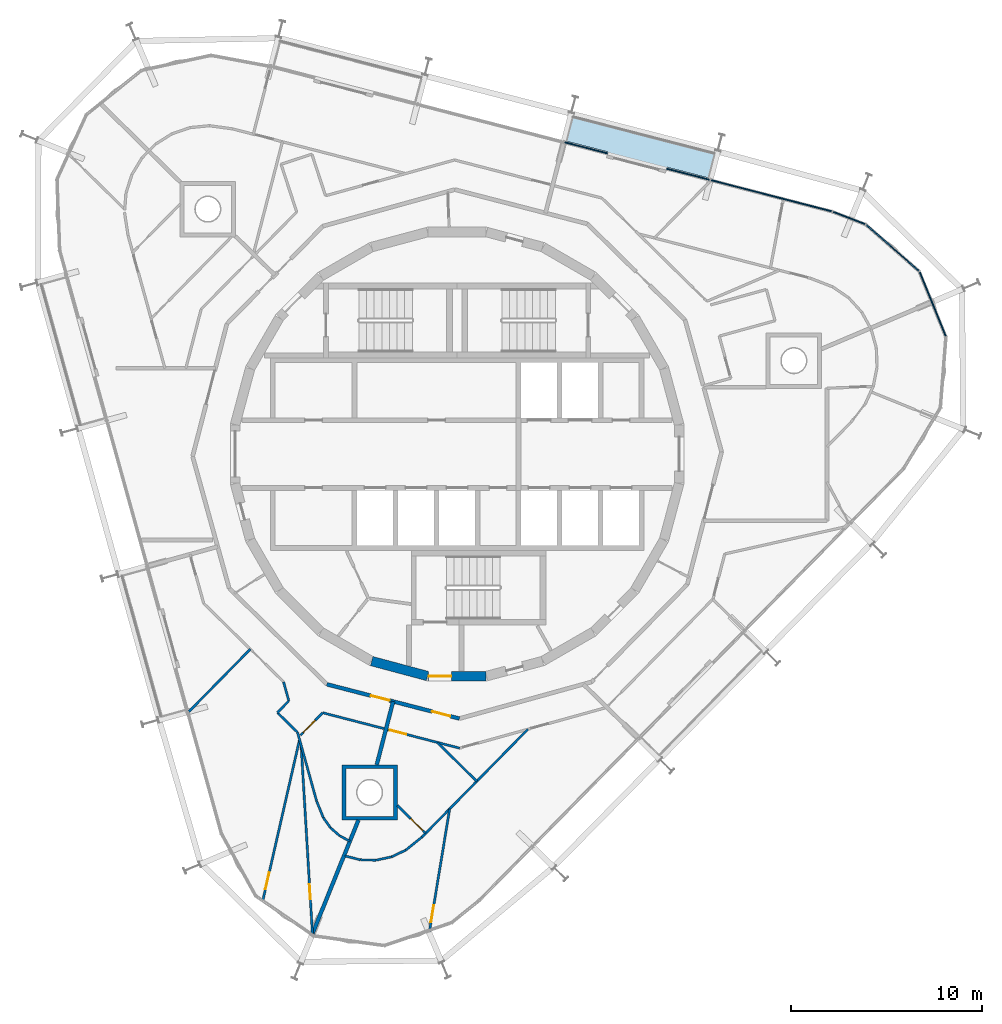
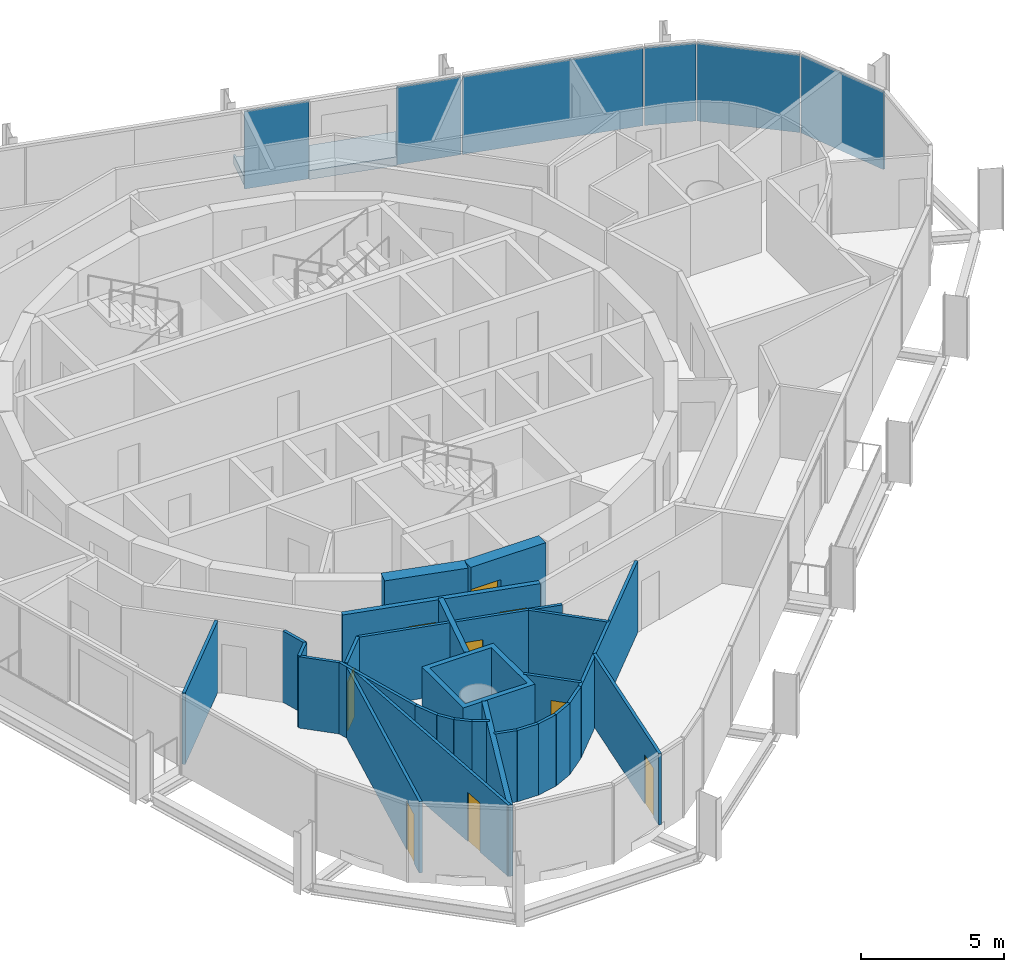
# One storey, part 9 of 15: 28 walls, 9 doors, 6 plates, 1 slab, 9 openings, 2 elements without a shape of their own.
"""IFC4 building model written with IfcOpenShell, lengths in metres."""

from ifc_helpers import new_model, si_unit, direction, frame, frame_2d, origin, origin_2d, place, context, subcontext, project, spatial, polyline, rectangle, outline, extrude, material, layer, layer_set, type_object, element, fill, aggregate, save


model = new_model("IFC4")

# Units and contexts
model_context = context("Model", 3, precision=1e-05, world=origin(), true_north=direction((0.0, 1.0)))
body_context = subcontext(model_context, "Body", "Model", "MODEL_VIEW")
ifc_project = project(units=[si_unit("LENGTHUNIT", "METRE"), si_unit("AREAUNIT", "SQUARE_METRE"), si_unit("VOLUMEUNIT", "CUBIC_METRE"), si_unit("PLANEANGLEUNIT", "RADIAN"), si_unit("MASSUNIT", "GRAM", prefix="KILO")], contexts=[model_context])

# Site, building, storey
site_placement = place(None, origin())
site = spatial("IfcSite", under=ifc_project, at=site_placement, CompositionType="ELEMENT")
building_placement = place(site_placement, origin())
building = spatial("IfcBuilding", under=site, at=building_placement, Name="Spindle Arch Residences", CompositionType="ELEMENT")
storey_placement = place(building_placement, frame((0.0, 0.0, 322.699951171875)))
storey = spatial("IfcBuildingStorey", under=building, at=storey_placement, Name="L83", CompositionType="ELEMENT", Elevation=322.699951171875)

# Slab
ifc_material_1 = material(Name="Concrete C40/50", Category="concrete")
ifc_layer_1 = layer(ifc_material_1, 0.3798828125)
ifc_layer_set_1 = layer_set([ifc_layer_1], Name="Balcony slab 380")
slab_type = type_object("IfcSlabType", Name="Balcony slab 380", PredefinedType="FLOOR", material=ifc_layer_set_1)
slab_placement = place(storey_placement, frame((0.0, 0.0, -0.3798828125)))
element("IfcSlab", 1, at=slab_placement, inside=storey, type_object=slab_type, Name="Balcony L83 bay 6", PredefinedType="FLOOR", context=body_context, shape_type="SweptSolid", body=[
    extrude(outline(polyline([(13.600830078125, 15.916259765625), (13.5283203125, 15.93505859375), (13.49072265625, 15.789794921875), (6.098876953125, 17.701416015625), (6.136474609375, 17.8466796875), (6.063720703125, 17.865478515625), (5.690673828125, 16.4228515625), (7.91015625, 15.848876953125), (7.8701171875, 15.694091796875), (10.96826171875, 14.892822265625), (11.00830078125, 15.047607421875), (13.227783203125, 14.4736328125), (13.600830078125, 15.916259765625)])), origin(), (0.0, 0.0, 1.0), 0.3798828125),
])

# Curtain wall, plates
ifc_material_2 = material(Name="Aluminium bronze unitised frame with tinted glass", Category="aluminium")
ifc_layer_2 = layer(ifc_material_2, 0.159912109375)
ifc_layer_set_2 = layer_set([ifc_layer_2], Name="CW-D corner wall on the fillet arcs")
curtain_wall_type_1 = type_object("IfcCurtainWallType", Name="CW-D corner wall on the fillet arcs", PredefinedType="NOTDEFINED", material=ifc_layer_set_2)
curtain_wall_1_placement = place(storey_placement, origin())
curtain_wall_1 = element("IfcCurtainWall", 2, at=curtain_wall_1_placement, inside=storey, type_object=curtain_wall_type_1, Name="CW-D L83 run 1", PredefinedType="NOTDEFINED")
ifc_material_3 = material(Name="Tinted double glazing over non-combustible spandrel zone with 0.55 mm stainless steel cavity fire stop (K0)", Category="steel")
ifc_layer_3 = layer(ifc_material_3, 0.070068359375)
ifc_layer_set_3 = layer_set([ifc_layer_3], Name="Unitised glass panel with spandrel zone and stainless cavity fire stop")
plate_type = type_object("IfcPlateType", Name="Unitised glass panel with spandrel zone and stainless cavity fire stop", PredefinedType="CURTAIN_PANEL", material=ifc_layer_set_3)
plate_1_placement = place(storey_placement, frame((24.94384765625, 7.86474609375, -0.3798828125), z_axis=(0.0, 0.0, 1.0), x_axis=(-0.377302072189, 0.926090247396, 0.0)))
plate_1 = element("IfcPlate", 3, at=plate_1_placement, type_object=plate_type, Name="CW-D unit 03", PredefinedType="CURTAIN_PANEL", context=body_context, shape_type="SweptSolid", body=[
    extrude(rectangle(XDim=3.666748046875, YDim=0.070068359375, at=origin_2d()), origin(), (0.0, 0.0, 1.0), 3.31005859375),
])
plate_2_placement = place(storey_placement, frame((22.837890625, 10.81689453125, -0.3798828125), z_axis=(0.0, 0.0, 1.0), x_axis=(-0.752797991635, 0.658251611308, 0.0)))
plate_2 = element("IfcPlate", 4, at=plate_2_placement, type_object=plate_type, Name="CW-D unit 04", PredefinedType="CURTAIN_PANEL", context=body_context, shape_type="SweptSolid", body=[
    extrude(rectangle(XDim=3.666748046875, YDim=0.070068359375, at=origin_2d()), origin(), (0.0, 0.0, 1.0), 3.31005859375),
])
plate_3_placement = place(storey_placement, frame((20.560546875, 12.38232421875, -0.3798828125), z_axis=(0.0, 0.0, 1.0), x_axis=(-0.932534030225, 0.361082099353, 0.0)))
plate_3 = element("IfcPlate", 5, at=plate_3_placement, type_object=plate_type, Name="CW-D unit 05", PredefinedType="CURTAIN_PANEL", context=body_context, shape_type="SweptSolid", body=[
    extrude(rectangle(XDim=1.816162109375, YDim=0.070068359375, at=origin_2d()), origin(), (0.0, 0.0, 1.0), 3.31005859375),
])
plate_4_placement = place(storey_placement, frame((16.483154296875, 13.549072265625, -0.3798828125), z_axis=(0.0, 0.0, 1.0), x_axis=(-0.968147640378, 0.250380004054, 0.0)))
plate_4 = element("IfcPlate", 6, at=plate_4_placement, type_object=plate_type, Name="CW-D unit 06", PredefinedType="CURTAIN_PANEL", context=body_context, shape_type="SweptSolid", body=[
    extrude(rectangle(XDim=6.555908203125, YDim=0.070068359375, at=origin_2d()), origin(), (0.0, 0.0, 1.0), 3.31005859375),
])
aggregate(curtain_wall_1, [plate_1, plate_2, plate_3, plate_4])

ifc_material_4 = material(Name="Aluminium bronze unitised frame with tinted glass", Category="aluminium")
ifc_layer_4 = layer(ifc_material_4, 0.159912109375)
ifc_layer_set_4 = layer_set([ifc_layer_4], Name="CW-C typical residential unitised wall")
curtain_wall_type_2 = type_object("IfcCurtainWallType", Name="CW-C typical residential unitised wall", PredefinedType="NOTDEFINED", material=ifc_layer_set_4)
curtain_wall_2_placement = place(storey_placement, origin())
curtain_wall_2 = element("IfcCurtainWall", 7, at=curtain_wall_2_placement, inside=storey, type_object=curtain_wall_type_2, Name="CW-C L83 run 2", PredefinedType="NOTDEFINED")
plate_5_placement = place(storey_placement, frame((12.119873046875, 14.677490234375, -0.3798828125), z_axis=(0.0, 0.0, 1.0), x_axis=(-0.968147640378, 0.250380004054, 0.0)))
plate_5 = element("IfcPlate", 8, at=plate_5_placement, type_object=plate_type, Name="CW-C unit 05L", PredefinedType="CURTAIN_PANEL", context=body_context, shape_type="SweptSolid", body=[
    extrude(rectangle(XDim=2.337646484375, YDim=0.070068359375, at=origin_2d()), origin(), (0.0, 0.0, 1.0), 3.31005859375),
])
plate_6_placement = place(storey_placement, frame((6.7587890625, 16.06396484375, -0.3798828125), z_axis=(0.0, 0.0, 1.0), x_axis=(-0.968147640378, 0.250380004054, 0.0)))
plate_6 = element("IfcPlate", 9, at=plate_6_placement, type_object=plate_type, Name="CW-C unit 05R", PredefinedType="CURTAIN_PANEL", context=body_context, shape_type="SweptSolid", body=[
    extrude(rectangle(XDim=2.337646484375, YDim=0.070068359375, at=origin_2d()), origin(), (0.0, 0.0, 1.0), 3.31005859375),
])
aggregate(curtain_wall_2, [plate_5, plate_6])

# Wall
ifc_material_5 = material(Name="Concrete C50/60", Category="concrete")
ifc_layer_5 = layer(ifc_material_5, 0.5)
ifc_layer_set_5 = layer_set([ifc_layer_5], Name="Core outline wall 500")
wall_type_1 = type_object("IfcWallType", Name="Core outline wall 500", PredefinedType="SHEAR", material=ifc_layer_set_5)
wall_1_placement = place(storey_placement, frame((-4.479248046875, -10.858154296875, 0.0), z_axis=(0.0, 0.0, 1.0), x_axis=(0.965948410781, -0.258734743916, 0.0)))
element("IfcWall", 10, at=wall_1_placement, inside=storey, type_object=wall_type_1, Name="Core outline wall 23", PredefinedType="SHEAR", context=body_context, shape_type="SweptSolid", body=[
    extrude(rectangle(XDim=3.03271484375, YDim=0.5, at=frame_2d((1.516357421875, 0.0))), origin(), (0.0, 0.0, 1.0), 3.050048828125),
])

# Wall, opening, door
wall_2_placement = place(storey_placement, frame((-1.516357421875, -11.647216796875, 0.0), z_axis=(0.0, 0.0, 1.0), x_axis=(1.0, 0.0, 0.0)))
wall_2 = element("IfcWall", 11, at=wall_2_placement, inside=storey, type_object=wall_type_1, Name="Core outline wall 24", PredefinedType="SHEAR", context=body_context, shape_type="SweptSolid", body=[
    extrude(rectangle(XDim=3.03271484375, YDim=0.5, at=frame_2d((1.516357421875, 0.0))), origin(), (0.0, 0.0, 1.0), 3.050048828125),
])
opening_1_placement = place(wall_2_placement, frame((0.016357421875, 0.0, 0.0)))
opening_1 = element("IfcOpeningElement", 12, at=opening_1_placement, cuts=wall_2, Name="Opening R8C1-AD03", PredefinedType="OPENING", context=body_context, shape_type="SweptSolid", body=[
    extrude(rectangle(XDim=1.199951171875, YDim=2.10009765625, at=frame_2d((0.60009765625, 1.050048828125))), frame((0.0, 0.260009765625, 0.0), z_axis=(0.0, -1.0, 0.0), x_axis=(1.0, 0.0, 0.0)), (0.0, 0.0, 1.0), 0.52001953125),
])
ifc_material_6 = material(Name="Steel, fire-resisting door", Category="steel")
door_type_1 = type_object("IfcDoorType", Name="Stair airlock door 1200x2100", OperationType="SINGLE_SWING_LEFT", PredefinedType="DOOR", material=ifc_material_6)
door_1_placement = place(opening_1_placement, origin())
door_1 = element("IfcDoor", 13, at=door_1_placement, inside=storey, type_object=door_type_1, Name="Stair airlock door R8C1-AD03", OperationType="SINGLE_SWING_RIGHT", OverallHeight=2.10009765625, OverallWidth=1.199951171875, PredefinedType="DOOR", context=body_context, shape_type="SweptSolid", body=[
    extrude(rectangle(XDim=1.199951171875, YDim=2.10009765625, at=frame_2d((0.60009765625, 1.050048828125))), frame((0.0, 0.02490234375, 0.0), z_axis=(0.0, -1.0, 0.0), x_axis=(1.0, 0.0, 0.0)), (0.0, 0.0, 1.0), 0.050048828125),
])
fill(opening_1, door_1)

# Wall, openings, doors
ifc_material_7 = material(Name="Calcium silicate block, plastered")
ifc_layer_6 = layer(ifc_material_7, 0.199951171875)
ifc_layer_set_6 = layer_set([ifc_layer_6], Name="Corridor wall 200")
wall_type_2 = type_object("IfcWallType", Name="Corridor wall 200", PredefinedType="STANDARD", material=ifc_layer_set_6)
wall_3_placement = place(storey_placement, frame((-6.831298828125, -12.07421875, 0.0), z_axis=(0.0, 0.0, 1.0), x_axis=(0.968144780225, -0.250391063186, 0.0)))
wall_3 = element("IfcWall", 14, at=wall_3_placement, inside=storey, type_object=wall_type_2, Name="Corridor wall R8C1-W014", PredefinedType="STANDARD", context=body_context, shape_type="SweptSolid", body=[
    extrude(rectangle(XDim=7.18115234375, YDim=0.199951171875, at=frame_2d((3.590576171875, 0.0))), origin(), (0.0, 0.0, 1.0), 3.050048828125),
])
opening_2_placement = place(wall_3_placement, frame((2.390380859375, 0.0, 0.0)))
opening_2 = element("IfcOpeningElement", 15, at=opening_2_placement, cuts=wall_3, Name="Opening R8C1-FD04", PredefinedType="OPENING", context=body_context, shape_type="SweptSolid", body=[
    extrude(rectangle(XDim=1.0, YDim=2.10009765625, at=frame_2d((0.5, 1.050048828125))), frame((0.0, 0.10986328125, 0.0), z_axis=(0.0, -1.0, 0.0), x_axis=(1.0, 0.0, 0.0)), (0.0, 0.0, 1.0), 0.219970703125),
])
opening_3_placement = place(wall_3_placement, frame((5.6904296875, 0.0, 0.0)))
opening_3 = element("IfcOpeningElement", 16, at=opening_3_placement, cuts=wall_3, Name="Opening R8C1-FD05", PredefinedType="OPENING", context=body_context, shape_type="SweptSolid", body=[
    extrude(rectangle(XDim=1.0, YDim=2.10009765625, at=frame_2d((0.5, 1.050048828125))), frame((0.0, 0.10986328125, 0.0), z_axis=(0.0, -1.0, 0.0), x_axis=(1.0, 0.0, 0.0)), (0.0, 0.0, 1.0), 0.219970703125),
])
ifc_material_8 = material(Name="Timber, fire-resisting door set", Category="wood")
door_type_2 = type_object("IfcDoorType", Name="Flat entrance door 1000x2100", OperationType="NOTDEFINED", PredefinedType="DOOR", material=ifc_material_8)
door_2_placement = place(opening_2_placement, origin())
door_2 = element("IfcDoor", 17, at=door_2_placement, inside=storey, type_object=door_type_2, Name="Flat entrance door R8C1-FD04", OperationType="SINGLE_SWING_RIGHT", OverallHeight=2.10009765625, OverallWidth=1.0, PredefinedType="DOOR", context=body_context, shape_type="SweptSolid", body=[
    extrude(rectangle(XDim=1.0, YDim=2.10009765625, at=frame_2d((0.5, 1.050048828125))), frame((0.0, 0.02490234375, 0.0), z_axis=(0.0, -1.0, 0.0), x_axis=(1.0, 0.0, 0.0)), (0.0, 0.0, 1.0), 0.050048828125),
])
fill(opening_2, door_2)
door_3_placement = place(opening_3_placement, origin())
door_3 = element("IfcDoor", 18, at=door_3_placement, inside=storey, type_object=door_type_2, Name="Flat entrance door R8C1-FD05", OperationType="SINGLE_SWING_LEFT", OverallHeight=2.10009765625, OverallWidth=1.0, PredefinedType="DOOR", context=body_context, shape_type="SweptSolid", body=[
    extrude(rectangle(XDim=1.0, YDim=2.10009765625, at=frame_2d((0.5, 1.050048828125))), frame((0.0, 0.02490234375, 0.0), z_axis=(0.0, -1.0, 0.0), x_axis=(1.0, 0.0, 0.0)), (0.0, 0.0, 1.0), 0.050048828125),
])
fill(opening_3, door_3)

# Walls
ifc_material_9 = material(Name="Plasterboard on steel studs", Category="steel")
ifc_layer_7 = layer(ifc_material_9, 0.1201171875)
ifc_layer_set_7 = layer_set([ifc_layer_7], Name="Flat partition 120")
wall_type_3 = type_object("IfcWallType", Name="Flat partition 120", PredefinedType="PARTITIONING", material=ifc_layer_set_7)
wall_4_placement = place(storey_placement, frame((-9.103759765625, -11.944091796875, 0.0), z_axis=(0.0, 0.0, 1.0), x_axis=(0.267317596771, -0.963608479859, 0.0)))
element("IfcWall", 19, at=wall_4_placement, inside=storey, type_object=wall_type_3, Name="Flat partition R8C1-W069", PredefinedType="PARTITIONING", context=body_context, shape_type="SweptSolid", body=[
    extrude(rectangle(XDim=1.0419921875, YDim=0.1201171875, at=frame_2d((0.52099609375, 0.0))), origin(), (0.0, 0.0, 1.0), 3.050048828125),
])
wall_5_placement = place(storey_placement, frame((-8.8251953125, -12.9482421875, 0.0), z_axis=(0.0, 0.0, 1.0), x_axis=(-0.700949034431, -0.713211364976, 0.0)))
element("IfcWall", 20, at=wall_5_placement, inside=storey, type_object=wall_type_3, Name="Flat partition R8C1-W070", PredefinedType="PARTITIONING", context=body_context, shape_type="SweptSolid", body=[
    extrude(rectangle(XDim=0.856201171875, YDim=0.1201171875, at=frame_2d((0.42822265625, 0.0))), origin(), (0.0, 0.0, 1.0), 3.050048828125),
])
wall_6_placement = place(storey_placement, frame((-9.42529296875, -13.558837890625, 0.0), z_axis=(0.0, 0.0, 1.0), x_axis=(0.713255540994, -0.700904082768, 0.0)))
element("IfcWall", 21, at=wall_6_placement, inside=storey, type_object=wall_type_3, Name="Flat partition R8C1-W071", PredefinedType="PARTITIONING", context=body_context, shape_type="SweptSolid", body=[
    extrude(rectangle(XDim=1.482421875, YDim=0.1201171875, at=frame_2d((0.7412109375, 0.0))), origin(), (0.0, 0.0, 1.0), 3.050048828125),
])

# Wall, opening, door
wall_7_placement = place(storey_placement, frame((-8.212646484375, -14.750244140625, 0.0), z_axis=(0.0, 0.0, 1.0), x_axis=(0.700899260151, 0.713260280066, 0.0)))
wall_7 = element("IfcWall", 22, at=wall_7_placement, inside=storey, type_object=wall_type_3, Name="Flat partition R8C1-W072", PredefinedType="PARTITIONING", context=body_context, shape_type="SweptSolid", body=[
    extrude(rectangle(XDim=1.6591796875, YDim=0.1201171875, at=frame_2d((0.82958984375, 0.0))), origin(), (0.0, 0.0, 1.0), 3.050048828125),
])
opening_4_placement = place(wall_7_placement, frame((0.199951171875, 0.0, 0.0)))
opening_4 = element("IfcOpeningElement", 23, at=opening_4_placement, cuts=wall_7, Name="Opening R8C1-ID15", PredefinedType="OPENING", context=body_context, shape_type="SweptSolid", body=[
    extrude(rectangle(XDim=0.89990234375, YDim=2.10009765625, at=frame_2d((0.449951171875, 1.050048828125))), frame((0.0, 0.070068359375, 0.0), z_axis=(0.0, -1.0, 0.0), x_axis=(1.0, 0.0, 0.0)), (0.0, 0.0, 1.0), 0.14013671875),
])
ifc_material_10 = material(Name="Timber door set", Category="wood")
door_type_3 = type_object("IfcDoorType", Name="Room door 900x2100", OperationType="NOTDEFINED", PredefinedType="DOOR", material=ifc_material_10)
door_4_placement = place(opening_4_placement, origin())
door_4 = element("IfcDoor", 24, at=door_4_placement, inside=storey, type_object=door_type_3, Name="Room door R8C1-ID15", OperationType="SINGLE_SWING_LEFT", OverallHeight=2.10009765625, OverallWidth=0.89990234375, PredefinedType="DOOR", context=body_context, shape_type="SweptSolid", body=[
    extrude(rectangle(XDim=0.89990234375, YDim=2.10009765625, at=frame_2d((0.449951171875, 1.050048828125))), frame((0.0, 0.02490234375, 0.0), z_axis=(0.0, -1.0, 0.0), x_axis=(1.0, 0.0, 0.0)), (0.0, 0.0, 1.0), 0.050048828125),
])
fill(opening_4, door_4)

wall_8_placement = place(storey_placement, frame((-7.0498046875, -13.56689453125, 0.0), z_axis=(0.0, 0.0, 1.0), x_axis=(0.968142373865, -0.250400367264, 0.0)))
wall_8 = element("IfcWall", 25, at=wall_8_placement, inside=storey, type_object=wall_type_3, Name="Flat partition R8C1-W073", PredefinedType="PARTITIONING", context=body_context, shape_type="SweptSolid", body=[
    extrude(rectangle(XDim=7.420654296875, YDim=0.1201171875, at=frame_2d((3.71044921875, 0.0))), origin(), (0.0, 0.0, 1.0), 3.050048828125),
])
opening_5_placement = place(wall_8_placement, frame((3.62841796875, 0.0, 0.0)))
opening_5 = element("IfcOpeningElement", 26, at=opening_5_placement, cuts=wall_8, Name="Opening R8C1-ID17", PredefinedType="OPENING", context=body_context, shape_type="SweptSolid", body=[
    extrude(rectangle(XDim=0.89990234375, YDim=2.10009765625, at=frame_2d((0.449951171875, 1.050048828125))), frame((0.0, 0.070068359375, 0.0), z_axis=(0.0, -1.0, 0.0), x_axis=(1.0, 0.0, 0.0)), (0.0, 0.0, 1.0), 0.14013671875),
])
door_5_placement = place(opening_5_placement, origin())
door_5 = element("IfcDoor", 27, at=door_5_placement, inside=storey, type_object=door_type_3, Name="Room door R8C1-ID17", OperationType="SINGLE_SWING_RIGHT", OverallHeight=2.10009765625, OverallWidth=0.89990234375, PredefinedType="DOOR", context=body_context, shape_type="SweptSolid", body=[
    extrude(rectangle(XDim=0.89990234375, YDim=2.10009765625, at=frame_2d((0.449951171875, 1.050048828125))), frame((0.0, 0.02490234375, 0.0), z_axis=(0.0, -1.0, 0.0), x_axis=(1.0, 0.0, 0.0)), (0.0, 0.0, 1.0), 0.050048828125),
])
fill(opening_5, door_5)

# Wall
wall_9_placement = place(storey_placement, frame((-14.06640625, -13.5078125, 0.0), z_axis=(0.0, 0.0, 1.0), x_axis=(0.700941781432, 0.7132184932, 0.0)))
element("IfcWall", 28, at=wall_9_placement, inside=storey, type_object=wall_type_3, Name="Flat partition R8C1-W074", PredefinedType="PARTITIONING", context=body_context, shape_type="SweptSolid", body=[
    extrude(rectangle(XDim=4.59375, YDim=0.1201171875, at=frame_2d((2.296875, 0.0))), origin(), (0.0, 0.0, 1.0), 3.050048828125),
])

# Wall, opening, door
wall_10_placement = place(storey_placement, frame((-10.187255859375, -23.405517578125, 0.0), z_axis=(0.0, 0.0, 1.0), x_axis=(0.222411648081, 0.974952849526, 0.0)))
wall_10 = element("IfcWall", 29, at=wall_10_placement, inside=storey, type_object=wall_type_3, Name="Flat partition R8C1-W075", PredefinedType="PARTITIONING", context=body_context, shape_type="SweptSolid", body=[
    extrude(rectangle(XDim=8.648681640625, YDim=0.1201171875, at=frame_2d((4.32421875, 0.0))), origin(), (0.0, 0.0, 1.0), 3.050048828125),
])
opening_6_placement = place(wall_10_placement, frame((0.60009765625, 0.0, 0.0)))
opening_6 = element("IfcOpeningElement", 30, at=opening_6_placement, cuts=wall_10, Name="Opening R8C1-ID16", PredefinedType="OPENING", context=body_context, shape_type="SweptSolid", body=[
    extrude(rectangle(XDim=0.89990234375, YDim=2.10009765625, at=frame_2d((0.449951171875, 1.050048828125))), frame((0.0, 0.070068359375, 0.0), z_axis=(0.0, -1.0, 0.0), x_axis=(1.0, 0.0, 0.0)), (0.0, 0.0, 1.0), 0.14013671875),
])
door_6_placement = place(opening_6_placement, origin())
door_6 = element("IfcDoor", 31, at=door_6_placement, inside=storey, type_object=door_type_3, Name="Room door R8C1-ID16", OperationType="SINGLE_SWING_RIGHT", OverallHeight=2.10009765625, OverallWidth=0.89990234375, PredefinedType="DOOR", context=body_context, shape_type="SweptSolid", body=[
    extrude(rectangle(XDim=0.89990234375, YDim=2.10009765625, at=frame_2d((0.449951171875, 1.050048828125))), frame((0.0, 0.02490234375, 0.0), z_axis=(0.0, -1.0, 0.0), x_axis=(1.0, 0.0, 0.0)), (0.0, 0.0, 1.0), 0.050048828125),
])
fill(opening_6, door_6)

# Wall
wall_11_placement = place(storey_placement, frame((-7.368408203125, -18.201904296875, 0.0), z_axis=(0.0, 0.0, 1.0), x_axis=(-0.267246564077, 0.963628182438, 0.0)))
element("IfcWall", 32, at=wall_11_placement, inside=storey, type_object=wall_type_3, Name="Flat partition R8C1-W076", PredefinedType="PARTITIONING", context=body_context, shape_type="SweptSolid", body=[
    extrude(rectangle(XDim=3.739990234375, YDim=0.1201171875, at=frame_2d((1.8701171875, 0.0))), origin(), (0.0, 0.0, 1.0), 3.050048828125),
])

# Wall, opening, door
wall_12_placement = place(storey_placement, frame((-7.58740234375, -25.14794921875, 0.0), z_axis=(0.0, 0.0, 1.0), x_axis=(-0.060023558623, 0.99819696073, 0.0)))
wall_12 = element("IfcWall", 33, at=wall_12_placement, inside=storey, type_object=wall_type_3, Name="Flat partition R8C1-W077", PredefinedType="PARTITIONING", context=body_context, shape_type="SweptSolid", body=[
    extrude(rectangle(XDim=9.89599609375, YDim=0.1201171875, at=frame_2d((4.947998046875, 0.0))), origin(), (0.0, 0.0, 1.0), 3.050048828125),
])
opening_7_placement = place(wall_12_placement, frame((1.800048828125, 0.0, 0.0)))
opening_7 = element("IfcOpeningElement", 34, at=opening_7_placement, cuts=wall_12, Name="Opening R8C1-BD04", PredefinedType="OPENING", context=body_context, shape_type="SweptSolid", body=[
    extrude(rectangle(XDim=0.800048828125, YDim=2.10009765625, at=frame_2d((0.39990234375, 1.050048828125))), frame((0.0, 0.070068359375, 0.0), z_axis=(0.0, -1.0, 0.0), x_axis=(1.0, 0.0, 0.0)), (0.0, 0.0, 1.0), 0.14013671875),
])
ifc_material_11 = material(Name="Timber door set", Category="wood")
door_type_4 = type_object("IfcDoorType", Name="Bathroom door 800x2100", OperationType="NOTDEFINED", PredefinedType="DOOR", material=ifc_material_11)
door_7_placement = place(opening_7_placement, origin())
door_7 = element("IfcDoor", 35, at=door_7_placement, inside=storey, type_object=door_type_4, Name="Bathroom door R8C1-BD04", OperationType="SINGLE_SWING_RIGHT", OverallHeight=2.10009765625, OverallWidth=0.800048828125, PredefinedType="DOOR", context=body_context, shape_type="SweptSolid", body=[
    extrude(rectangle(XDim=0.800048828125, YDim=2.10009765625, at=frame_2d((0.39990234375, 1.050048828125))), frame((0.0, 0.02490234375, 0.0), z_axis=(0.0, -1.0, 0.0), x_axis=(1.0, 0.0, 0.0)), (0.0, 0.0, 1.0), 0.050048828125),
])
fill(opening_7, door_7)

# Walls
wall_13_placement = place(storey_placement, frame((-7.368408203125, -18.201904296875, 0.0), z_axis=(0.0, 0.0, 1.0), x_axis=(0.377296887314, -0.92609235977, 0.0)))
element("IfcWall", 36, at=wall_13_placement, inside=storey, type_object=wall_type_3, Name="Flat partition R8C1-W078", PredefinedType="PARTITIONING", context=body_context, shape_type="SweptSolid", body=[
    extrude(rectangle(XDim=0.94677734375, YDim=0.1201171875, at=frame_2d((0.473388671875, 0.0))), origin(), (0.0, 0.0, 1.0), 3.050048828125),
])
wall_14_placement = place(storey_placement, frame((-7.01123046875, -19.07861328125, 0.0), z_axis=(0.0, 0.0, 1.0), x_axis=(0.580662514246, -0.814144363458, 0.0)))
element("IfcWall", 37, at=wall_14_placement, inside=storey, type_object=wall_type_3, Name="Flat partition R8C1-W079", PredefinedType="PARTITIONING", context=body_context, shape_type="SweptSolid", body=[
    extrude(rectangle(XDim=0.64208984375, YDim=0.1201171875, at=frame_2d((0.321044921875, 0.0))), origin(), (0.0, 0.0, 1.0), 3.050048828125),
])
wall_15_placement = place(storey_placement, frame((-6.638427734375, -19.601318359375, 0.0), z_axis=(0.0, 0.0, 1.0), x_axis=(0.753047703781, -0.657965923001, 0.0)))
element("IfcWall", 38, at=wall_15_placement, inside=storey, type_object=wall_type_3, Name="Flat partition R8C1-W080", PredefinedType="PARTITIONING", context=body_context, shape_type="SweptSolid", body=[
    extrude(rectangle(XDim=0.641845703125, YDim=0.1201171875, at=frame_2d((0.32080078125, 0.0))), origin(), (0.0, 0.0, 1.0), 3.050048828125),
])
wall_16_placement = place(storey_placement, frame((-6.155029296875, -20.023681640625, 0.0), z_axis=(0.0, 0.0, 1.0), x_axis=(0.884133271246, -0.467234800369, 0.0)))
element("IfcWall", 39, at=wall_16_placement, inside=storey, type_object=wall_type_3, Name="Flat partition R8C1-W081", PredefinedType="PARTITIONING", context=body_context, shape_type="SweptSolid", body=[
    extrude(rectangle(XDim=0.601318359375, YDim=0.1201171875, at=frame_2d((0.30078125, 0.0))), origin(), (0.0, 0.0, 1.0), 3.050048828125),
])
wall_17_placement = place(storey_placement, frame((-5.87841796875, -21.07470703125, 0.0), z_axis=(0.0, 0.0, 1.0), x_axis=(0.968171520146, -0.250287649673, 0.0)))
element("IfcWall", 40, at=wall_17_placement, inside=storey, type_object=wall_type_3, Name="Flat partition R8C1-W083", PredefinedType="PARTITIONING", context=body_context, shape_type="SweptSolid", body=[
    extrude(rectangle(XDim=0.8291015625, YDim=0.1201171875, at=frame_2d((0.41455078125, 0.0))), origin(), (0.0, 0.0, 1.0), 3.050048828125),
])
for number, where, z_axis, x_axis, name in (
    (41, (-5.07568359375, -21.2822265625, 0.0), (0.0, 0.0, 1.0), (0.999793409707, -0.020325794128, 0.0), "Flat partition R8C1-W084"),
    (42, (-4.2470703125, -21.299072265625, 0.0), (0.0, 0.0, 1.0), (0.977512711923, 0.210876499469, 0.0), "Flat partition R8C1-W085"),
):
    element("IfcWall", number, at=place(storey_placement, frame(where, z_axis=z_axis, x_axis=x_axis)), inside=storey, type_object=wall_type_3, Name=name, PredefinedType="PARTITIONING", context=body_context, shape_type="SweptSolid", body=[
        extrude(rectangle(XDim=0.828857421875, YDim=0.1201171875, at=frame_2d((0.41455078125, 0.0))), origin(), (0.0, 0.0, 1.0), 3.050048828125),
    ])
wall_18_placement = place(storey_placement, frame((-3.436767578125, -21.124267578125, 0.0), z_axis=(0.0, 0.0, 1.0), x_axis=(0.902637137035, 0.430402368541, 0.0)))
element("IfcWall", 43, at=wall_18_placement, inside=storey, type_object=wall_type_3, Name="Flat partition R8C1-W086", PredefinedType="PARTITIONING", context=body_context, shape_type="SweptSolid", body=[
    extrude(rectangle(XDim=0.82861328125, YDim=0.1201171875, at=frame_2d((0.414306640625, 0.0))), origin(), (0.0, 0.0, 1.0), 3.050048828125),
])
wall_19_placement = place(storey_placement, frame((-2.688720703125, -20.767578125, 0.0), z_axis=(0.0, 0.0, 1.0), x_axis=(0.778936756675, 0.627102486919, 0.0)))
element("IfcWall", 44, at=wall_19_placement, inside=storey, type_object=wall_type_3, Name="Flat partition R8C1-W087", PredefinedType="PARTITIONING", context=body_context, shape_type="SweptSolid", body=[
    extrude(rectangle(XDim=1.0869140625, YDim=0.1201171875, at=frame_2d((0.54345703125, 0.0))), origin(), (0.0, 0.0, 1.0), 3.050048828125),
])
wall_20_placement = place(storey_placement, frame((-1.842041015625, -20.0859375, 0.0), z_axis=(0.0, 0.0, 1.0), x_axis=(0.700919640212, 0.713240252625, 0.0)))
element("IfcWall", 45, at=wall_20_placement, inside=storey, type_object=wall_type_3, Name="Flat partition R8C1-W088", PredefinedType="PARTITIONING", context=body_context, shape_type="SweptSolid", body=[
    extrude(rectangle(XDim=7.92626953125, YDim=0.1201171875, at=frame_2d((3.963134765625, 0.0))), origin(), (0.0, 0.0, 1.0), 3.050048828125),
])

# Wall, opening, door
wall_21_placement = place(storey_placement, frame((-1.648681640625, -19.88916015625, 0.0), z_axis=(0.0, 0.0, 1.0), x_axis=(-0.713270858454, 0.700888495041, 0.0)))
wall_21 = element("IfcWall", 46, at=wall_21_placement, inside=storey, type_object=wall_type_3, Name="Flat partition R8C1-W089", PredefinedType="PARTITIONING", context=body_context, shape_type="SweptSolid", body=[
    extrude(rectangle(XDim=2.090087890625, YDim=0.1201171875, at=frame_2d((1.044921875, 0.0))), origin(), (0.0, 0.0, 1.0), 3.050048828125),
])
opening_8_placement = place(wall_21_placement, frame((0.199951171875, 0.0, 0.0)))
opening_8 = element("IfcOpeningElement", 47, at=opening_8_placement, cuts=wall_21, Name="Opening R8C1-ID19", PredefinedType="OPENING", context=body_context, shape_type="SweptSolid", body=[
    extrude(rectangle(XDim=0.89990234375, YDim=2.10009765625, at=frame_2d((0.449951171875, 1.050048828125))), frame((0.0, 0.070068359375, 0.0), z_axis=(0.0, -1.0, 0.0), x_axis=(1.0, 0.0, 0.0)), (0.0, 0.0, 1.0), 0.14013671875),
])
door_8_placement = place(opening_8_placement, origin())
door_8 = element("IfcDoor", 48, at=door_8_placement, inside=storey, type_object=door_type_3, Name="Room door R8C1-ID19", OperationType="SINGLE_SWING_LEFT", OverallHeight=2.10009765625, OverallWidth=0.89990234375, PredefinedType="DOOR", context=body_context, shape_type="SweptSolid", body=[
    extrude(rectangle(XDim=0.89990234375, YDim=2.10009765625, at=frame_2d((0.449951171875, 1.050048828125))), frame((0.0, 0.02490234375, 0.0), z_axis=(0.0, -1.0, 0.0), x_axis=(1.0, 0.0, 0.0)), (0.0, 0.0, 1.0), 0.050048828125),
])
fill(opening_8, door_8)

wall_22_placement = place(storey_placement, frame((-1.45263671875, -25.052734375, 0.0), z_axis=(0.0, 0.0, 1.0), x_axis=(0.162683241952, 0.986678348191, 0.0)))
wall_22 = element("IfcWall", 49, at=wall_22_placement, inside=storey, type_object=wall_type_3, Name="Flat partition R8C1-W090", PredefinedType="PARTITIONING", context=body_context, shape_type="SweptSolid", body=[
    extrude(rectangle(XDim=6.531005859375, YDim=0.1201171875, at=frame_2d((3.265625, 0.0))), origin(), (0.0, 0.0, 1.0), 3.050048828125),
])
opening_9_placement = place(wall_22_placement, frame((0.5, 0.0, 0.0)))
opening_9 = element("IfcOpeningElement", 50, at=opening_9_placement, cuts=wall_22, Name="Opening R8C1-ID20", PredefinedType="OPENING", context=body_context, shape_type="SweptSolid", body=[
    extrude(rectangle(XDim=0.89990234375, YDim=2.10009765625, at=frame_2d((0.449951171875, 1.050048828125))), frame((0.0, 0.070068359375, 0.0), z_axis=(0.0, -1.0, 0.0), x_axis=(1.0, 0.0, 0.0)), (0.0, 0.0, 1.0), 0.14013671875),
])
door_9_placement = place(opening_9_placement, origin())
door_9 = element("IfcDoor", 51, at=door_9_placement, inside=storey, type_object=door_type_3, Name="Room door R8C1-ID20", OperationType="SINGLE_SWING_LEFT", OverallHeight=2.10009765625, OverallWidth=0.89990234375, PredefinedType="DOOR", context=body_context, shape_type="SweptSolid", body=[
    extrude(rectangle(XDim=0.89990234375, YDim=2.10009765625, at=frame_2d((0.449951171875, 1.050048828125))), frame((0.0, 0.02490234375, 0.0), z_axis=(0.0, -1.0, 0.0), x_axis=(1.0, 0.0, 0.0)), (0.0, 0.0, 1.0), 0.050048828125),
])
fill(opening_9, door_9)

# Walls
wall_23_placement = place(storey_placement, frame((1.032470703125, -17.160888671875, 0.0), z_axis=(0.0, 0.0, 1.0), x_axis=(-0.713201827259, 0.700958738867, 0.0)))
element("IfcWall", 52, at=wall_23_placement, inside=storey, type_object=wall_type_3, Name="Flat partition R8C1-W091", PredefinedType="PARTITIONING", context=body_context, shape_type="SweptSolid", body=[
    extrude(rectangle(XDim=2.911376953125, YDim=0.1201171875, at=frame_2d((1.45556640625, 0.0))), origin(), (0.0, 0.0, 1.0), 3.050048828125),
])
ifc_material_12 = material(Name="Calcium silicate block, plastered")
ifc_layer_8 = layer(ifc_material_12, 0.199951171875)
ifc_layer_set_8 = layer_set([ifc_layer_8], Name="Flat party wall 200")
wall_type_4 = type_object("IfcWallType", Name="Flat party wall 200", PredefinedType="STANDARD", material=ifc_layer_set_8)
wall_24_placement = place(storey_placement, frame((-4.21435546875, -16.29541015625, 0.0), z_axis=(0.0, 0.0, 1.0), x_axis=(0.250428810918, 0.968135016752, 0.0)))
element("IfcWall", 53, at=wall_24_placement, inside=storey, type_object=wall_type_4, Name="Flat party wall R8C1-W027", PredefinedType="STANDARD", context=body_context, shape_type="SweptSolid", body=[
    extrude(rectangle(XDim=3.431640625, YDim=0.199951171875, at=frame_2d((1.7158203125, 0.0))), origin(), (0.0, 0.0, 1.0), 3.050048828125),
])
wall_25_placement = place(storey_placement, frame((-7.581787109375, -25.15087890625, 0.0), z_axis=(0.0, 0.0, 1.0), x_axis=(0.374645287615, 0.927168220156, 0.0)))
element("IfcWall", 54, at=wall_25_placement, inside=storey, type_object=wall_type_4, Name="Flat party wall R8C1-W028", PredefinedType="STANDARD", context=body_context, shape_type="SweptSolid", body=[
    extrude(rectangle(XDim=6.42333984375, YDim=0.199951171875, at=frame_2d((3.211669921875, 0.0))), origin(), (0.0, 0.0, 1.0), 3.050048828125),
])
ifc_material_13 = material(Name="Calcium silicate block, plastered")
ifc_layer_9 = layer(ifc_material_13, 0.199951171875)
ifc_layer_set_9 = layer_set([ifc_layer_9], Name="Mega-column casing wall 200")
wall_type_5 = type_object("IfcWallType", Name="Mega-column casing wall 200", PredefinedType="STANDARD", material=ifc_layer_set_9)
wall_26_placement = place(storey_placement, origin())
element("IfcWall", 55, at=wall_26_placement, inside=storey, type_object=wall_type_5, Name="Mega-column casing wall R8C1-WC03", PredefinedType="STANDARD", context=body_context, shape_type="SweptSolid", body=[
    extrude(outline(polyline([(-3.139404296875, -16.29541015625), (-3.139404296875, -19.1953125), (-6.039306640625, -19.1953125), (-6.039306640625, -16.29541015625), (-3.139404296875, -16.29541015625)]), holes=[polyline([(-5.83935546875, -18.995361328125), (-3.33935546875, -18.995361328125), (-3.33935546875, -16.495361328125), (-5.83935546875, -16.495361328125), (-5.83935546875, -18.995361328125)])]), origin(), (0.0, 0.0, 1.0), 3.050048828125),
])

save(model, "model.ifc")
